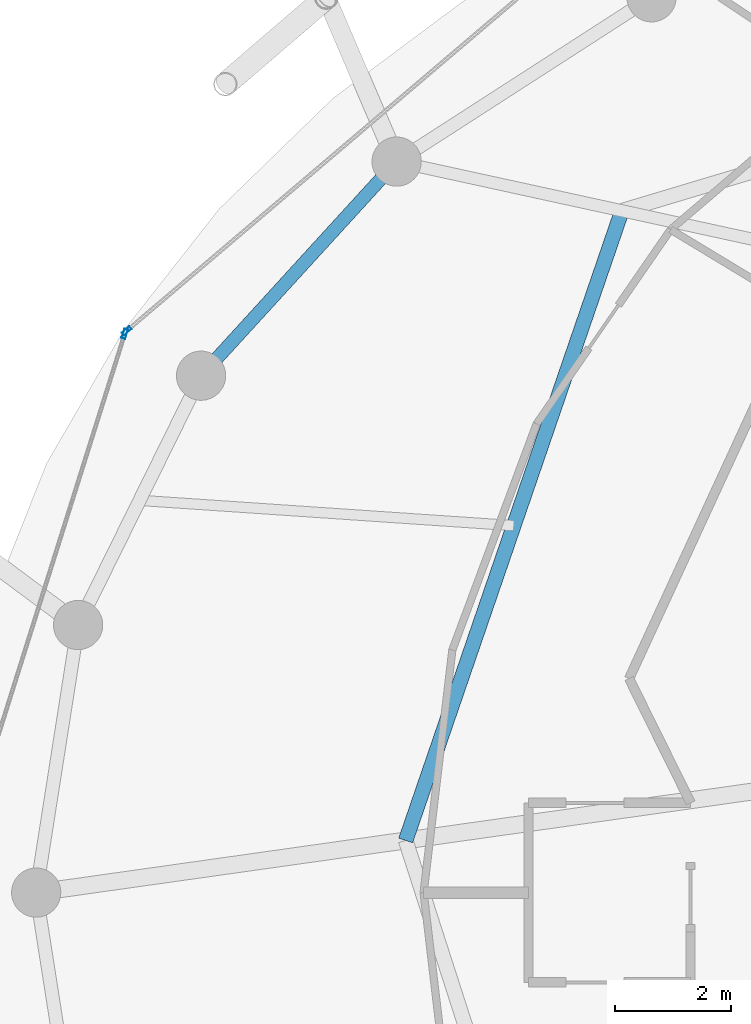
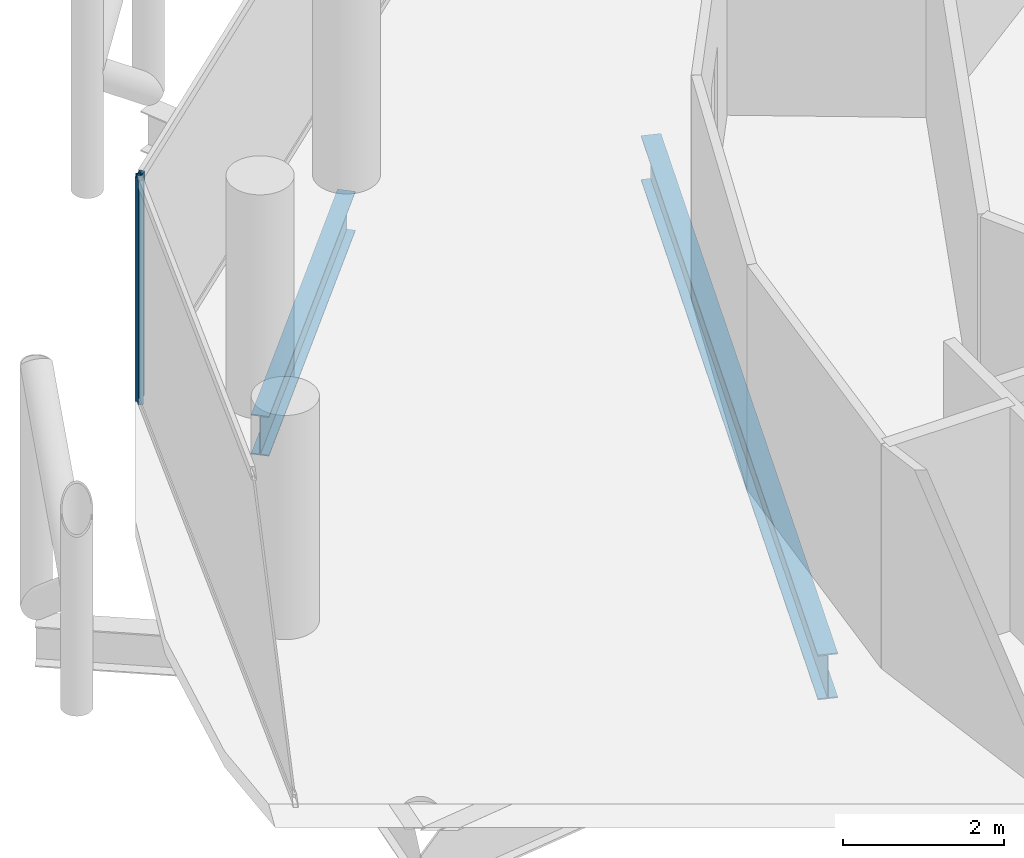
# One storey, part 9 of 27: 2 beams, 2 members, 2 elements without a shape of their own.
"""IFC4 building model written with IfcOpenShell, lengths in metres."""

from ifc_helpers import new_model, si_unit, direction, frame, origin, origin_2d, place, context, subcontext, project, spatial, hollow_rectangle, i_section, extrude, material, layer, layer_set, material_profile, profile_set, type_object, element, aggregate, save


model = new_model("IFC4")

# Units and contexts
model_context = context("Model", 3, precision=1e-05, world=origin(), true_north=direction((0.0, 1.0)))
body_context = subcontext(model_context, "Body", "Model", "MODEL_VIEW")
ifc_project = project(units=[si_unit("LENGTHUNIT", "METRE"), si_unit("AREAUNIT", "SQUARE_METRE"), si_unit("VOLUMEUNIT", "CUBIC_METRE"), si_unit("PLANEANGLEUNIT", "RADIAN"), si_unit("MASSUNIT", "GRAM", prefix="KILO")], contexts=[model_context])

# Site, building, storey
site_placement = place(None, origin())
site = spatial("IfcSite", under=ifc_project, at=site_placement, CompositionType="ELEMENT")
building_placement = place(site_placement, origin())
building = spatial("IfcBuilding", under=site, at=building_placement, Name="Nuhasar Tower", CompositionType="ELEMENT")
storey_placement = place(building_placement, frame((0.0, 0.0, 233.699951171875)))
storey = spatial("IfcBuildingStorey", under=building, at=storey_placement, Name="L57", CompositionType="ELEMENT", Elevation=233.699951171875)

# Beams
ifc_material_1 = material(Name="Steel S355", Category="steel")
ifc_material_profile_1 = material_profile(ifc_material_1, i_section(OverallWidth=0.25390625, OverallDepth=0.68408203125, WebThickness=0.012451171875, FlangeThickness=0.018798828125, at=origin_2d()), Name="W27X94")
ifc_profile_set_1 = profile_set([ifc_material_profile_1], Name="Steel S355")
beam_type_1 = type_object("IfcBeamType", Name="BM-INRING-W27X94", PredefinedType="BEAM", material=ifc_profile_set_1)
beam_1_placement = place(storey_placement, frame((27.864013671875, 38.572998046875, -0.58203125), z_axis=(-0.324809117642, -0.945779592239, 0.0), x_axis=(0.945779592239, -0.324809117642, 0.0)))
element("IfcBeam", 1, at=beam_1_placement, inside=storey, type_object=beam_type_1, Name="L57 Inner Header Beam 07", PredefinedType="BEAM", context=body_context, shape_type="SweptSolid", body=[
    extrude(i_section(OverallWidth=0.25390625, OverallDepth=0.68408203125, WebThickness=0.012451171875, FlangeThickness=0.018798828125, at=origin_2d()), origin(), (0.0, 0.0, 1.0), 11.496337890625),
])
ifc_material_profile_2 = material_profile(ifc_material_1, i_section(OverallWidth=0.22802734375, OverallDepth=0.60791015625, WebThickness=0.01123046875, FlangeThickness=0.017333984375, at=origin_2d()), Name="W24X76")
ifc_profile_set_2 = profile_set([ifc_material_profile_2], Name="Steel S355")
beam_type_2 = type_object("IfcBeamType", Name="BM-RING-W24X76", PredefinedType="SPANDREL", material=ifc_profile_set_2)
beam_2_placement = place(storey_placement, frame((23.97412109375, 39.422119140625, -0.5439453125), z_axis=(-0.674449692975, -0.738320805373, 0.0), x_axis=(0.738320805373, -0.674449692975, 0.0)))
element("IfcBeam", 2, at=beam_2_placement, inside=storey, type_object=beam_type_2, Name="L57 Perimeter Ring Spandrel 10", PredefinedType="SPANDREL", context=body_context, shape_type="SweptSolid", body=[
    extrude(i_section(OverallWidth=0.22802734375, OverallDepth=0.60791015625, WebThickness=0.01123046875, FlangeThickness=0.017333984375, at=origin_2d()), origin(), (0.0, 0.0, 1.0), 5.00732421875),
])

# Curtain wall, member
ifc_material_2 = material(Name="Aluminium 6063-T6", Category="aluminium")
ifc_layer = layer(ifc_material_2, 0.18994140625)
ifc_layer_set = layer_set([ifc_layer], Name="Aluminium 6063-T6")
curtain_wall_type = type_object("IfcCurtainWallType", Name="CW-Z3-RES", PredefinedType="NOTDEFINED", material=ifc_layer_set)
curtain_wall_1_placement = place(storey_placement, origin())
curtain_wall_1 = element("IfcCurtainWall", 3, at=curtain_wall_1_placement, inside=storey, type_object=curtain_wall_type, Name="L57 Unitised Curtain Wall 05", PredefinedType="NOTDEFINED")
ifc_material_profile_3 = material_profile(ifc_material_2, hollow_rectangle(XDim=0.06494140625, YDim=0.169921875, WallThickness=0.0048828125, at=origin_2d()), Name="CWM-4")
ifc_profile_set_3 = profile_set([ifc_material_profile_3], Name="Aluminium 6063-T6")
member_type = type_object("IfcMemberType", Name="CW-MUL-S4", PredefinedType="MULLION", material=ifc_profile_set_3)
member_1_placement = place(storey_placement, frame((19.313720703125, 36.5009765625, 0.0), z_axis=(0.0, 0.0, 1.0), x_axis=(0.64789521578, -0.761729472562, 0.0)))
member_1 = element("IfcMember", 4, at=member_1_placement, type_object=member_type, Name="CW-Z3 mullion 2", PredefinedType="MULLION", context=body_context, shape_type="SweptSolid", body=[
    extrude(hollow_rectangle(XDim=0.06494140625, YDim=0.169921875, WallThickness=0.0048828125, at=origin_2d()), origin(), (0.0, 0.0, 1.0), 3.41015625),
])
aggregate(curtain_wall_1, [member_1])

curtain_wall_2_placement = place(storey_placement, origin())
curtain_wall_2 = element("IfcCurtainWall", 5, at=curtain_wall_2_placement, inside=storey, type_object=curtain_wall_type, Name="L57 Unitised Curtain Wall 06", PredefinedType="NOTDEFINED")
member_2_placement = place(storey_placement, frame((19.279296875, 36.448974609375, 0.0), z_axis=(0.0, 0.0, 1.0), x_axis=(0.95380429279, -0.30042864553, 0.0)))
member_2 = element("IfcMember", 6, at=member_2_placement, type_object=member_type, Name="CW-Z3 mullion 1", PredefinedType="MULLION", context=body_context, shape_type="SweptSolid", body=[
    extrude(hollow_rectangle(XDim=0.06494140625, YDim=0.169921875, WallThickness=0.0048828125, at=origin_2d()), origin(), (0.0, 0.0, 1.0), 3.41015625),
])
aggregate(curtain_wall_2, [member_2])

save(model, "model.ifc")
